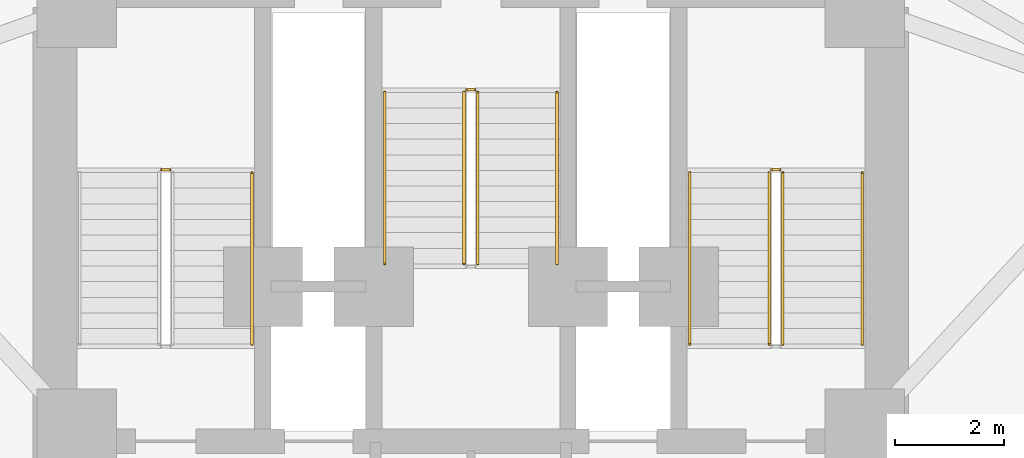
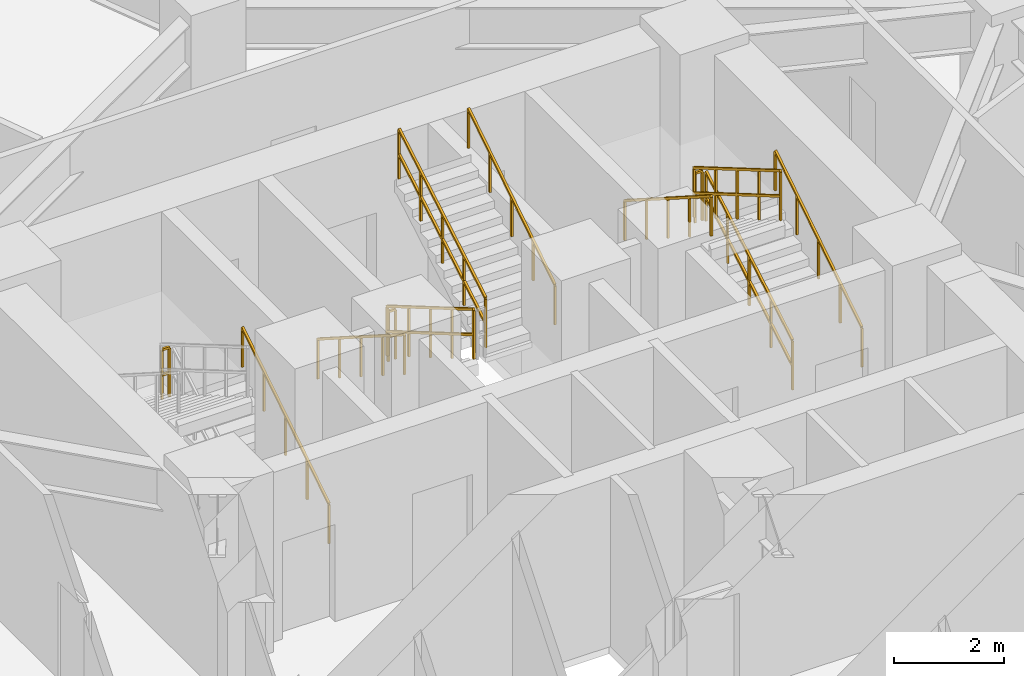
# One storey, part 12 of 13: 12 railings.
"""IFC4 building model written with IfcOpenShell, lengths in metres."""

from ifc_helpers import new_model, si_unit, direction, frame, origin, origin_2d, place, context, subcontext, project, spatial, rectangle, extrude, material, type_object, element, save


model = new_model("IFC4")

# Units and contexts
model_context = context("Model", 3, precision=1e-05, world=origin(), true_north=direction((0.0, 1.0)))
body_context = subcontext(model_context, "Body", "Model", "MODEL_VIEW")
ifc_project = project(units=[si_unit("LENGTHUNIT", "METRE"), si_unit("AREAUNIT", "SQUARE_METRE"), si_unit("VOLUMEUNIT", "CUBIC_METRE"), si_unit("PLANEANGLEUNIT", "RADIAN"), si_unit("MASSUNIT", "GRAM", prefix="KILO")], contexts=[model_context])

# Site, building, storey
site_placement = place(None, origin())
site = spatial("IfcSite", under=ifc_project, at=site_placement, CompositionType="ELEMENT")
building_placement = place(site_placement, origin())
building = spatial("IfcBuilding", under=site, at=building_placement, Name="Apsidion Concourse Tower", CompositionType="ELEMENT")
storey_placement = place(building_placement, frame((0.0, 0.0, 67.0)))
storey = spatial("IfcBuildingStorey", under=building, at=storey_placement, Name="L14", CompositionType="ELEMENT", Elevation=67.0)

# Railings
ifc_material = material(Name="Brushed stainless steel 316", Category="steel")
railing_type_1 = type_object("IfcRailingType", Name="RL-GUARD-1100", PredefinedType="GUARDRAIL", material=ifc_material)
railing_1_placement = place(storey_placement, frame((-5.5, 6.18505859375, 2.0)))
element("IfcRailing", 1, at=railing_1_placement, inside=storey, type_object=railing_type_1, Name="L14 ST1 stair guard 2", PredefinedType="GUARDRAIL", context=body_context, shape_type="SweptSolid", body=[
    extrude(rectangle(XDim=0.048095703125, YDim=0.048095703125, at=origin_2d()), frame((0.0, 0.0, 1.09619140625), z_axis=(-1.0, 0.0, 0.0), x_axis=(0.0, -1.0, 0.0)), (0.0, 0.0, 1.0), 0.14990234375),
    extrude(rectangle(XDim=0.048095703125, YDim=0.048095703125, at=origin_2d()), frame((0.0, 0.0, 0.5361328125), z_axis=(-1.0, 0.0, 0.0), x_axis=(0.0, -1.0, 0.0)), (0.0, 0.0, 1.0), 0.14990234375),
    extrude(rectangle(XDim=0.0419921875, YDim=0.0419921875, at=origin_2d()), origin(), (0.0, 0.0, 1.0), 1.072021484375),
    extrude(rectangle(XDim=0.0419921875, YDim=0.0419921875, at=origin_2d()), frame((-0.14990234375, 0.0, 0.0)), (0.0, 0.0, 1.0), 1.072021484375),
])
railing_2_placement = place(storey_placement, frame((5.699951171875, 3.0, 0.166748046875)))
element("IfcRailing", 2, at=railing_2_placement, inside=storey, type_object=railing_type_1, Name="L14 ST2 stair guard 1", PredefinedType="GUARDRAIL", context=body_context, shape_type="SweptSolid", body=[
    extrude(rectangle(XDim=0.048095703125, YDim=0.048095703125, at=origin_2d()), frame((0.0, 0.0, 1.09619140625), z_axis=(0.0, 0.863239559939, 0.504794475164), x_axis=(-1.0, 0.0, 0.0)), (0.0, 0.0, 1.0), 3.631591796875),
    extrude(rectangle(XDim=0.048095703125, YDim=0.048095703125, at=origin_2d()), frame((0.0, 0.0, 0.5361328125), z_axis=(0.0, 0.863239559939, 0.504794475164), x_axis=(-1.0, 0.0, 0.0)), (0.0, 0.0, 1.0), 3.631591796875),
    extrude(rectangle(XDim=0.0419921875, YDim=0.0419921875, at=origin_2d()), origin(), (0.0, 0.0, 1.0), 1.072021484375),
    extrude(rectangle(XDim=0.0419921875, YDim=0.0419921875, at=origin_2d()), frame((0.0, 0.78369140625, 0.458251953125)), (0.0, 0.0, 1.0), 1.072021484375),
    extrude(rectangle(XDim=0.0419921875, YDim=0.0419921875, at=origin_2d()), frame((0.0, 1.5673828125, 0.91650390625)), (0.0, 0.0, 1.0), 1.072021484375),
    extrude(rectangle(XDim=0.0419921875, YDim=0.0419921875, at=origin_2d()), frame((0.0, 2.351318359375, 1.375)), (0.0, 0.0, 1.0), 1.072021484375),
    extrude(rectangle(XDim=0.0419921875, YDim=0.0419921875, at=origin_2d()), frame((0.0, 3.135009765625, 1.833251953125)), (0.0, 0.0, 1.0), 1.072021484375),
])
railing_3_placement = place(storey_placement, frame((5.64990234375, 6.18505859375, 2.0)))
element("IfcRailing", 3, at=railing_3_placement, inside=storey, type_object=railing_type_1, Name="L14 ST2 stair guard 2", PredefinedType="GUARDRAIL", context=body_context, shape_type="SweptSolid", body=[
    extrude(rectangle(XDim=0.048095703125, YDim=0.048095703125, at=origin_2d()), frame((0.0, 0.0, 1.09619140625), z_axis=(-1.0, 0.0, 0.0), x_axis=(0.0, -1.0, 0.0)), (0.0, 0.0, 1.0), 0.14990234375),
    extrude(rectangle(XDim=0.048095703125, YDim=0.048095703125, at=origin_2d()), frame((0.0, 0.0, 0.5361328125), z_axis=(-1.0, 0.0, 0.0), x_axis=(0.0, -1.0, 0.0)), (0.0, 0.0, 1.0), 0.14990234375),
    extrude(rectangle(XDim=0.0419921875, YDim=0.0419921875, at=origin_2d()), origin(), (0.0, 0.0, 1.0), 1.072021484375),
    extrude(rectangle(XDim=0.0419921875, YDim=0.0419921875, at=origin_2d()), frame((-0.14990234375, 0.0, 0.0)), (0.0, 0.0, 1.0), 1.072021484375),
])
for number, where, name in (
    (4, (5.449951171875, 6.135009765625, 2.166748046875), "L14 ST2 stair guard 3"),
    (5, (-0.125, 7.60009765625, 0.166748046875), "L14 ST3 stair guard 1"),
):
    element("IfcRailing", number, at=place(storey_placement, frame(where)), inside=storey, type_object=railing_type_1, Name=name, PredefinedType="GUARDRAIL", context=body_context, shape_type="SweptSolid", body=[
        extrude(rectangle(XDim=0.048095703125, YDim=0.048095703125, at=origin_2d()), frame((0.0, 0.0, 1.09619140625), z_axis=(0.0, -0.863239559939, 0.504794475164), x_axis=(1.0, 0.0, 0.0)), (0.0, 0.0, 1.0), 3.631591796875),
        extrude(rectangle(XDim=0.048095703125, YDim=0.048095703125, at=origin_2d()), frame((0.0, 0.0, 0.5361328125), z_axis=(0.0, -0.863239559939, 0.504794475164), x_axis=(1.0, 0.0, 0.0)), (0.0, 0.0, 1.0), 3.631591796875),
        extrude(rectangle(XDim=0.0419921875, YDim=0.0419921875, at=origin_2d()), origin(), (0.0, 0.0, 1.0), 1.072021484375),
        extrude(rectangle(XDim=0.0419921875, YDim=0.0419921875, at=origin_2d()), frame((0.0, -0.78369140625, 0.458251953125)), (0.0, 0.0, 1.0), 1.072021484375),
        extrude(rectangle(XDim=0.0419921875, YDim=0.0419921875, at=origin_2d()), frame((0.0, -1.5673828125, 0.91650390625)), (0.0, 0.0, 1.0), 1.072021484375),
        extrude(rectangle(XDim=0.0419921875, YDim=0.0419921875, at=origin_2d()), frame((0.0, -2.351318359375, 1.375)), (0.0, 0.0, 1.0), 1.072021484375),
        extrude(rectangle(XDim=0.0419921875, YDim=0.0419921875, at=origin_2d()), frame((0.0, -3.135009765625, 1.833251953125)), (0.0, 0.0, 1.0), 1.072021484375),
    ])
railing_4_placement = place(storey_placement, frame((0.125, 4.465087890625, 2.166748046875)))
element("IfcRailing", 6, at=railing_4_placement, inside=storey, type_object=railing_type_1, Name="L14 ST3 stair guard 3", PredefinedType="GUARDRAIL", context=body_context, shape_type="SweptSolid", body=[
    extrude(rectangle(XDim=0.048095703125, YDim=0.048095703125, at=origin_2d()), frame((0.0, 0.0, 1.09619140625), z_axis=(0.0, 0.863239559939, 0.504794475164), x_axis=(-1.0, 0.0, 0.0)), (0.0, 0.0, 1.0), 3.631591796875),
    extrude(rectangle(XDim=0.048095703125, YDim=0.048095703125, at=origin_2d()), frame((0.0, 0.0, 0.5361328125), z_axis=(0.0, 0.863239559939, 0.504794475164), x_axis=(-1.0, 0.0, 0.0)), (0.0, 0.0, 1.0), 3.631591796875),
    extrude(rectangle(XDim=0.0419921875, YDim=0.0419921875, at=origin_2d()), origin(), (0.0, 0.0, 1.0), 1.072021484375),
    extrude(rectangle(XDim=0.0419921875, YDim=0.0419921875, at=origin_2d()), frame((0.0, 0.78369140625, 0.458251953125)), (0.0, 0.0, 1.0), 1.072021484375),
    extrude(rectangle(XDim=0.0419921875, YDim=0.0419921875, at=origin_2d()), frame((0.0, 1.5673828125, 0.91650390625)), (0.0, 0.0, 1.0), 1.072021484375),
    extrude(rectangle(XDim=0.0419921875, YDim=0.0419921875, at=origin_2d()), frame((0.0, 2.351318359375, 1.375)), (0.0, 0.0, 1.0), 1.072021484375),
    extrude(rectangle(XDim=0.0419921875, YDim=0.0419921875, at=origin_2d()), frame((0.0, 3.135009765625, 1.833251953125)), (0.0, 0.0, 1.0), 1.072021484375),
])
railing_5_placement = place(storey_placement, frame((-0.074951171875, 7.64990234375, 0.0)))
element("IfcRailing", 7, at=railing_5_placement, inside=storey, type_object=railing_type_1, Name="L14 ST3 stair guard 4", PredefinedType="GUARDRAIL", context=body_context, shape_type="SweptSolid", body=[
    extrude(rectangle(XDim=0.048095703125, YDim=0.048095703125, at=origin_2d()), frame((0.0, 0.0, 1.09619140625), z_axis=(1.0, 0.0, 0.0), x_axis=(0.0, 1.0, 0.0)), (0.0, 0.0, 1.0), 0.14990234375),
    extrude(rectangle(XDim=0.048095703125, YDim=0.048095703125, at=origin_2d()), frame((0.0, 0.0, 0.5361328125), z_axis=(1.0, 0.0, 0.0), x_axis=(0.0, 1.0, 0.0)), (0.0, 0.0, 1.0), 0.14990234375),
    extrude(rectangle(XDim=0.0419921875, YDim=0.0419921875, at=origin_2d()), origin(), (0.0, 0.0, 1.0), 1.072021484375),
    extrude(rectangle(XDim=0.0419921875, YDim=0.0419921875, at=origin_2d()), frame((0.14990234375, 0.0, 0.0)), (0.0, 0.0, 1.0), 1.072021484375),
])
railing_type_2 = type_object("IfcRailingType", Name="RL-HAND-900", PredefinedType="HANDRAIL", material=ifc_material)
for number, where, name in (
    (8, (-4.0, 3.0, 0.166748046875), "L14 ST1 stair handrail 1"),
    (9, (7.14990234375, 3.0, 0.166748046875), "L14 ST2 stair handrail 1"),
):
    element("IfcRailing", number, at=place(storey_placement, frame(where)), inside=storey, type_object=railing_type_2, Name=name, PredefinedType="HANDRAIL", context=body_context, shape_type="SweptSolid", body=[
        extrude(rectangle(XDim=0.048095703125, YDim=0.048095703125, at=origin_2d()), frame((0.0, 0.0, 0.8759765625), z_axis=(0.0, 0.843052688722, 0.537830980921), x_axis=(-1.0, 0.0, 0.0)), (0.0, 0.0, 1.0), 3.71875),
        extrude(rectangle(XDim=0.0419921875, YDim=0.0419921875, at=origin_2d()), origin(), (0.0, 0.0, 1.0), 0.851806640625),
        extrude(rectangle(XDim=0.0419921875, YDim=0.0419921875, at=origin_2d()), frame((0.0, 0.78369140625, 0.5)), (0.0, 0.0, 1.0), 0.851806640625),
        extrude(rectangle(XDim=0.0419921875, YDim=0.0419921875, at=origin_2d()), frame((0.0, 1.5673828125, 1.0)), (0.0, 0.0, 1.0), 0.851806640625),
        extrude(rectangle(XDim=0.0419921875, YDim=0.0419921875, at=origin_2d()), frame((0.0, 2.351318359375, 1.5)), (0.0, 0.0, 1.0), 0.851806640625),
        extrude(rectangle(XDim=0.0419921875, YDim=0.0419921875, at=origin_2d()), frame((0.0, 3.135009765625, 2.0)), (0.0, 0.0, 1.0), 0.851806640625),
    ])
for number, where, name in (
    (10, (4.0, 6.135009765625, 2.166748046875), "L14 ST2 stair handrail 2"),
    (11, (-1.574951171875, 7.60009765625, 0.166748046875), "L14 ST3 stair handrail 1"),
):
    element("IfcRailing", number, at=place(storey_placement, frame(where)), inside=storey, type_object=railing_type_2, Name=name, PredefinedType="HANDRAIL", context=body_context, shape_type="SweptSolid", body=[
        extrude(rectangle(XDim=0.048095703125, YDim=0.048095703125, at=origin_2d()), frame((0.0, 0.0, 0.8759765625), z_axis=(0.0, -0.843052688722, 0.537830980921), x_axis=(1.0, 0.0, 0.0)), (0.0, 0.0, 1.0), 3.71875),
        extrude(rectangle(XDim=0.0419921875, YDim=0.0419921875, at=origin_2d()), origin(), (0.0, 0.0, 1.0), 0.851806640625),
        extrude(rectangle(XDim=0.0419921875, YDim=0.0419921875, at=origin_2d()), frame((0.0, -0.78369140625, 0.5)), (0.0, 0.0, 1.0), 0.851806640625),
        extrude(rectangle(XDim=0.0419921875, YDim=0.0419921875, at=origin_2d()), frame((0.0, -1.5673828125, 1.0)), (0.0, 0.0, 1.0), 0.851806640625),
        extrude(rectangle(XDim=0.0419921875, YDim=0.0419921875, at=origin_2d()), frame((0.0, -2.351318359375, 1.5)), (0.0, 0.0, 1.0), 0.851806640625),
        extrude(rectangle(XDim=0.0419921875, YDim=0.0419921875, at=origin_2d()), frame((0.0, -3.135009765625, 2.0)), (0.0, 0.0, 1.0), 0.851806640625),
    ])
railing_6_placement = place(storey_placement, frame((1.574951171875, 4.465087890625, 2.166748046875)))
element("IfcRailing", 12, at=railing_6_placement, inside=storey, type_object=railing_type_2, Name="L14 ST3 stair handrail 2", PredefinedType="HANDRAIL", context=body_context, shape_type="SweptSolid", body=[
    extrude(rectangle(XDim=0.048095703125, YDim=0.048095703125, at=origin_2d()), frame((0.0, 0.0, 0.8759765625), z_axis=(0.0, 0.843052688722, 0.537830980921), x_axis=(-1.0, 0.0, 0.0)), (0.0, 0.0, 1.0), 3.71875),
    extrude(rectangle(XDim=0.0419921875, YDim=0.0419921875, at=origin_2d()), origin(), (0.0, 0.0, 1.0), 0.851806640625),
    extrude(rectangle(XDim=0.0419921875, YDim=0.0419921875, at=origin_2d()), frame((0.0, 0.78369140625, 0.5)), (0.0, 0.0, 1.0), 0.851806640625),
    extrude(rectangle(XDim=0.0419921875, YDim=0.0419921875, at=origin_2d()), frame((0.0, 1.5673828125, 1.0)), (0.0, 0.0, 1.0), 0.851806640625),
    extrude(rectangle(XDim=0.0419921875, YDim=0.0419921875, at=origin_2d()), frame((0.0, 2.351318359375, 1.5)), (0.0, 0.0, 1.0), 0.851806640625),
    extrude(rectangle(XDim=0.0419921875, YDim=0.0419921875, at=origin_2d()), frame((0.0, 3.135009765625, 2.0)), (0.0, 0.0, 1.0), 0.851806640625),
])

save(model, "model.ifc")
